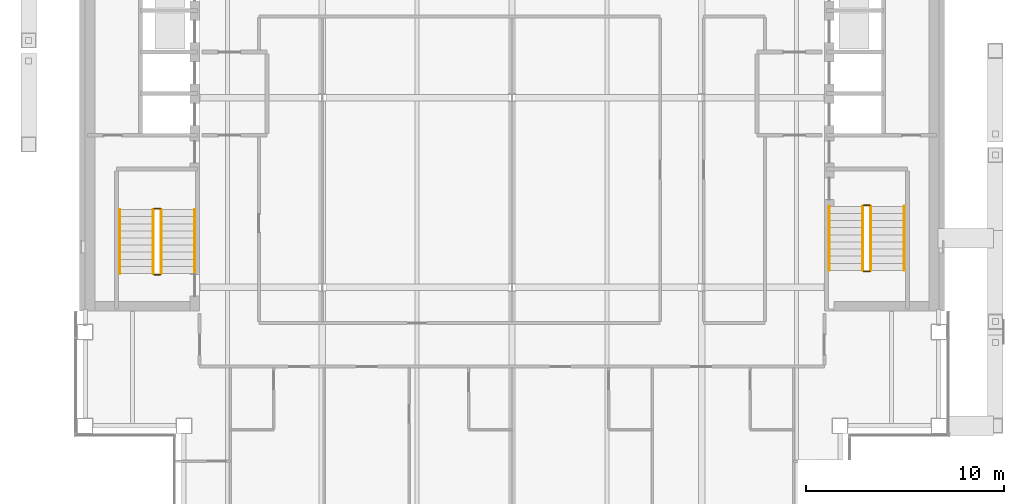
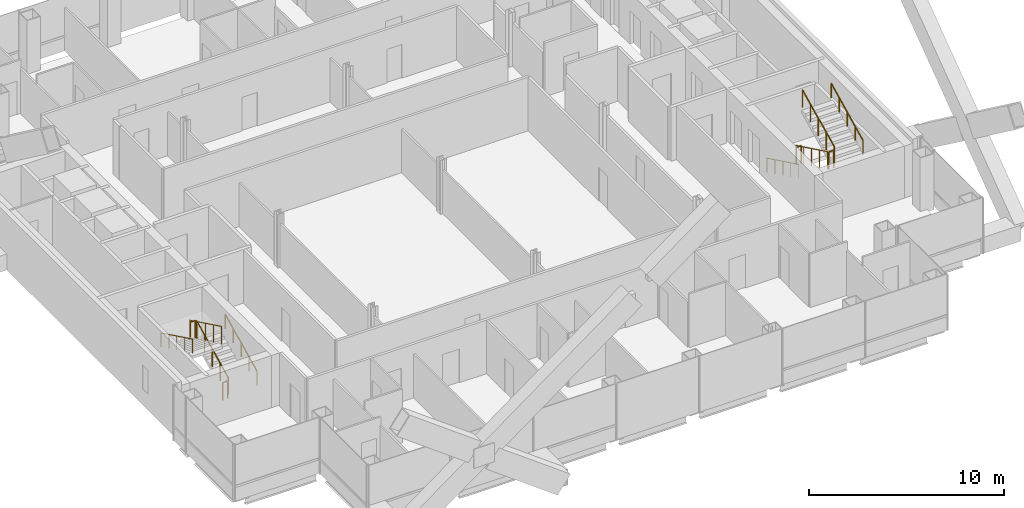
# One storey, part 15 of 16: 12 railings.
"""IFC4 building model written with IfcOpenShell, lengths in metres."""

from ifc_helpers import new_model, si_unit, direction, frame, origin, origin_2d, place, context, subcontext, project, spatial, circle, extrude, material, type_object, element, save


model = new_model("IFC4")

# Units and contexts
model_context = context("Model", 3, precision=1e-05, world=origin(), true_north=direction((0.0, 1.0)))
body_context = subcontext(model_context, "Body", "Model", "MODEL_VIEW")
ifc_project = project(units=[si_unit("LENGTHUNIT", "METRE"), si_unit("AREAUNIT", "SQUARE_METRE"), si_unit("VOLUMEUNIT", "CUBIC_METRE"), si_unit("PLANEANGLEUNIT", "RADIAN"), si_unit("MASSUNIT", "GRAM", prefix="KILO")], contexts=[model_context])

# Site, building, storey
site_placement = place(None, origin())
site = spatial("IfcSite", under=ifc_project, at=site_placement, CompositionType="ELEMENT")
building_placement = place(site_placement, origin())
building = spatial("IfcBuilding", under=site, at=building_placement, Name="Cobrizo Arcos Hotel Tower", CompositionType="ELEMENT")
storey_placement = place(building_placement, frame((0.0, 0.0, 172.5)))
storey = spatial("IfcBuildingStorey", under=building, at=storey_placement, Name="L44", CompositionType="ELEMENT", Elevation=172.5)

# Railings
ifc_material = material(Name="Stainless steel railing", Category="steel")
railing_type_1 = type_object("IfcRailingType", Name="Stair guard 1100", PredefinedType="GUARDRAIL", material=ifc_material)
railing_1_placement = place(storey_placement, frame((-17.75, -8.89990234375, 0.175048828125)))
element("IfcRailing", 1, at=railing_1_placement, inside=storey, type_object=railing_type_1, Name="L44 ST-W stair guard 1", PredefinedType="GUARDRAIL", context=body_context, shape_type="SweptSolid", body=[
    extrude(circle(Radius=0.02392578125, at=origin_2d()), frame((0.0, 0.0, 1.076171875), z_axis=(0.0, 0.899372665325, 0.437182809435), x_axis=(-1.0, 0.0, 0.0)), (0.0, 0.0, 1.0), 3.6025390625),
    extrude(circle(Radius=0.02099609375, at=origin_2d()), origin(), (0.0, 0.0, 1.0), 1.052001953125),
    extrude(circle(Radius=0.02099609375, at=origin_2d()), frame((0.0, 0.81005859375, 0.393798828125)), (0.0, 0.0, 1.0), 1.052001953125),
    extrude(circle(Radius=0.02099609375, at=origin_2d()), frame((0.0, 1.6201171875, 0.78759765625)), (0.0, 0.0, 1.0), 1.052001953125),
    extrude(circle(Radius=0.02099609375, at=origin_2d()), frame((0.0, 2.429931640625, 1.18115234375)), (0.0, 0.0, 1.0), 1.052001953125),
    extrude(circle(Radius=0.02099609375, at=origin_2d()), frame((0.0, 3.239990234375, 1.574951171875)), (0.0, 0.0, 1.0), 1.052001953125),
])
railing_2_placement = place(storey_placement, frame((-17.800048828125, -5.610107421875, 1.75)))
element("IfcRailing", 2, at=railing_2_placement, inside=storey, type_object=railing_type_1, Name="L44 ST-W stair guard 2", PredefinedType="GUARDRAIL", context=body_context, shape_type="SweptSolid", body=[
    extrude(circle(Radius=0.02392578125, at=origin_2d()), frame((0.0, 0.0, 1.076171875), z_axis=(-1.0, 0.0, 0.0), x_axis=(0.0, -1.0, 0.0)), (0.0, 0.0, 1.0), 0.300048828125),
    extrude(circle(Radius=0.02099609375, at=origin_2d()), origin(), (0.0, 0.0, 1.0), 1.052001953125),
    extrude(circle(Radius=0.02099609375, at=origin_2d()), frame((-0.300048828125, 0.0, 0.0)), (0.0, 0.0, 1.0), 1.052001953125),
])
railing_3_placement = place(storey_placement, frame((-18.14990234375, -5.659912109375, 1.925048828125)))
element("IfcRailing", 3, at=railing_3_placement, inside=storey, type_object=railing_type_1, Name="L44 ST-W stair guard 3", PredefinedType="GUARDRAIL", context=body_context, shape_type="SweptSolid", body=[
    extrude(circle(Radius=0.02392578125, at=origin_2d()), frame((0.0, 0.0, 1.076171875), z_axis=(0.0, -0.899372665325, 0.437182809435), x_axis=(1.0, 0.0, 0.0)), (0.0, 0.0, 1.0), 3.6025390625),
    extrude(circle(Radius=0.02099609375, at=origin_2d()), origin(), (0.0, 0.0, 1.0), 1.052001953125),
    extrude(circle(Radius=0.02099609375, at=origin_2d()), frame((0.0, -0.81005859375, 0.393798828125)), (0.0, 0.0, 1.0), 1.052001953125),
    extrude(circle(Radius=0.02099609375, at=origin_2d()), frame((0.0, -1.6201171875, 0.78759765625)), (0.0, 0.0, 1.0), 1.052001953125),
    extrude(circle(Radius=0.02099609375, at=origin_2d()), frame((0.0, -2.429931640625, 1.18115234375)), (0.0, 0.0, 1.0), 1.052001953125),
    extrude(circle(Radius=0.02099609375, at=origin_2d()), frame((0.0, -3.239990234375, 1.574951171875)), (0.0, 0.0, 1.0), 1.052001953125),
])
railing_4_placement = place(storey_placement, frame((-17.800048828125, -8.949951171875, 0.0)))
element("IfcRailing", 4, at=railing_4_placement, inside=storey, type_object=railing_type_1, Name="L44 ST-W stair guard 4", PredefinedType="GUARDRAIL", context=body_context, shape_type="SweptSolid", body=[
    extrude(circle(Radius=0.02392578125, at=origin_2d()), frame((0.0, 0.0, 1.076171875), z_axis=(-1.0, 0.0, 0.0), x_axis=(0.0, -1.0, 0.0)), (0.0, 0.0, 1.0), 0.300048828125),
    extrude(circle(Radius=0.02099609375, at=origin_2d()), origin(), (0.0, 0.0, 1.0), 1.052001953125),
    extrude(circle(Radius=0.02099609375, at=origin_2d()), frame((-0.300048828125, 0.0, 0.0)), (0.0, 0.0, 1.0), 1.052001953125),
])
railing_5_placement = place(storey_placement, frame((17.75, -5.5, 0.175048828125)))
element("IfcRailing", 5, at=railing_5_placement, inside=storey, type_object=railing_type_1, Name="L44 ST-E stair guard 1", PredefinedType="GUARDRAIL", context=body_context, shape_type="SweptSolid", body=[
    extrude(circle(Radius=0.02392578125, at=origin_2d()), frame((0.0, 0.0, 1.076171875), z_axis=(0.0, -0.899372665325, 0.437182809435), x_axis=(1.0, 0.0, 0.0)), (0.0, 0.0, 1.0), 3.6025390625),
    extrude(circle(Radius=0.02099609375, at=origin_2d()), origin(), (0.0, 0.0, 1.0), 1.052001953125),
    extrude(circle(Radius=0.02099609375, at=origin_2d()), frame((0.0, -0.81005859375, 0.393798828125)), (0.0, 0.0, 1.0), 1.052001953125),
    extrude(circle(Radius=0.02099609375, at=origin_2d()), frame((0.0, -1.6201171875, 0.78759765625)), (0.0, 0.0, 1.0), 1.052001953125),
    extrude(circle(Radius=0.02099609375, at=origin_2d()), frame((0.0, -2.429931640625, 1.18115234375)), (0.0, 0.0, 1.0), 1.052001953125),
    extrude(circle(Radius=0.02099609375, at=origin_2d()), frame((0.0, -3.239990234375, 1.574951171875)), (0.0, 0.0, 1.0), 1.052001953125),
])
railing_6_placement = place(storey_placement, frame((17.800048828125, -8.7900390625, 1.75)))
element("IfcRailing", 6, at=railing_6_placement, inside=storey, type_object=railing_type_1, Name="L44 ST-E stair guard 2", PredefinedType="GUARDRAIL", context=body_context, shape_type="SweptSolid", body=[
    extrude(circle(Radius=0.02392578125, at=origin_2d()), frame((0.0, 0.0, 1.076171875), z_axis=(1.0, 0.0, 0.0), x_axis=(0.0, 1.0, 0.0)), (0.0, 0.0, 1.0), 0.300048828125),
    extrude(circle(Radius=0.02099609375, at=origin_2d()), origin(), (0.0, 0.0, 1.0), 1.052001953125),
    extrude(circle(Radius=0.02099609375, at=origin_2d()), frame((0.300048828125, 0.0, 0.0)), (0.0, 0.0, 1.0), 1.052001953125),
])
railing_7_placement = place(storey_placement, frame((18.14990234375, -8.739990234375, 1.925048828125)))
element("IfcRailing", 7, at=railing_7_placement, inside=storey, type_object=railing_type_1, Name="L44 ST-E stair guard 3", PredefinedType="GUARDRAIL", context=body_context, shape_type="SweptSolid", body=[
    extrude(circle(Radius=0.02392578125, at=origin_2d()), frame((0.0, 0.0, 1.076171875), z_axis=(0.0, 0.899372665325, 0.437182809435), x_axis=(-1.0, 0.0, 0.0)), (0.0, 0.0, 1.0), 3.6025390625),
    extrude(circle(Radius=0.02099609375, at=origin_2d()), origin(), (0.0, 0.0, 1.0), 1.052001953125),
    extrude(circle(Radius=0.02099609375, at=origin_2d()), frame((0.0, 0.81005859375, 0.393798828125)), (0.0, 0.0, 1.0), 1.052001953125),
    extrude(circle(Radius=0.02099609375, at=origin_2d()), frame((0.0, 1.6201171875, 0.78759765625)), (0.0, 0.0, 1.0), 1.052001953125),
    extrude(circle(Radius=0.02099609375, at=origin_2d()), frame((0.0, 2.429931640625, 1.18115234375)), (0.0, 0.0, 1.0), 1.052001953125),
    extrude(circle(Radius=0.02099609375, at=origin_2d()), frame((0.0, 3.239990234375, 1.574951171875)), (0.0, 0.0, 1.0), 1.052001953125),
])
railing_8_placement = place(storey_placement, frame((17.800048828125, -5.449951171875, 0.0)))
element("IfcRailing", 8, at=railing_8_placement, inside=storey, type_object=railing_type_1, Name="L44 ST-E stair guard 4", PredefinedType="GUARDRAIL", context=body_context, shape_type="SweptSolid", body=[
    extrude(circle(Radius=0.02392578125, at=origin_2d()), frame((0.0, 0.0, 1.076171875), z_axis=(1.0, 0.0, 0.0), x_axis=(0.0, 1.0, 0.0)), (0.0, 0.0, 1.0), 0.300048828125),
    extrude(circle(Radius=0.02099609375, at=origin_2d()), origin(), (0.0, 0.0, 1.0), 1.052001953125),
    extrude(circle(Radius=0.02099609375, at=origin_2d()), frame((0.300048828125, 0.0, 0.0)), (0.0, 0.0, 1.0), 1.052001953125),
])
railing_type_2 = type_object("IfcRailingType", Name="Stair handrail", PredefinedType="HANDRAIL", material=ifc_material)
railing_9_placement = place(storey_placement, frame((-16.050048828125, -8.89990234375, 0.175048828125)))
element("IfcRailing", 9, at=railing_9_placement, inside=storey, type_object=railing_type_2, Name="L44 ST-W stair handrail 1", PredefinedType="HANDRAIL", context=body_context, shape_type="SweptSolid", body=[
    extrude(circle(Radius=0.02392578125, at=origin_2d()), frame((0.0, 0.0, 0.8759765625), z_axis=(0.0, 0.899372665325, 0.437182809435), x_axis=(-1.0, 0.0, 0.0)), (0.0, 0.0, 1.0), 3.6025390625),
    extrude(circle(Radius=0.02099609375, at=origin_2d()), origin(), (0.0, 0.0, 1.0), 0.851806640625),
    extrude(circle(Radius=0.02099609375, at=origin_2d()), frame((0.0, 0.81005859375, 0.393798828125)), (0.0, 0.0, 1.0), 0.851806640625),
    extrude(circle(Radius=0.02099609375, at=origin_2d()), frame((0.0, 1.6201171875, 0.78759765625)), (0.0, 0.0, 1.0), 0.851806640625),
    extrude(circle(Radius=0.02099609375, at=origin_2d()), frame((0.0, 2.429931640625, 1.18115234375)), (0.0, 0.0, 1.0), 0.851806640625),
    extrude(circle(Radius=0.02099609375, at=origin_2d()), frame((0.0, 3.239990234375, 1.574951171875)), (0.0, 0.0, 1.0), 0.851806640625),
])
for number, where, name in (
    (10, (-19.85009765625, -5.659912109375, 1.925048828125), "L44 ST-W stair handrail 2"),
    (11, (16.050048828125, -5.5, 0.175048828125), "L44 ST-E stair handrail 1"),
):
    element("IfcRailing", number, at=place(storey_placement, frame(where)), inside=storey, type_object=railing_type_2, Name=name, PredefinedType="HANDRAIL", context=body_context, shape_type="SweptSolid", body=[
        extrude(circle(Radius=0.02392578125, at=origin_2d()), frame((0.0, 0.0, 0.8759765625), z_axis=(0.0, -0.899372665325, 0.437182809435), x_axis=(1.0, 0.0, 0.0)), (0.0, 0.0, 1.0), 3.6025390625),
        extrude(circle(Radius=0.02099609375, at=origin_2d()), origin(), (0.0, 0.0, 1.0), 0.851806640625),
        extrude(circle(Radius=0.02099609375, at=origin_2d()), frame((0.0, -0.81005859375, 0.393798828125)), (0.0, 0.0, 1.0), 0.851806640625),
        extrude(circle(Radius=0.02099609375, at=origin_2d()), frame((0.0, -1.6201171875, 0.78759765625)), (0.0, 0.0, 1.0), 0.851806640625),
        extrude(circle(Radius=0.02099609375, at=origin_2d()), frame((0.0, -2.429931640625, 1.18115234375)), (0.0, 0.0, 1.0), 0.851806640625),
        extrude(circle(Radius=0.02099609375, at=origin_2d()), frame((0.0, -3.239990234375, 1.574951171875)), (0.0, 0.0, 1.0), 0.851806640625),
    ])
railing_10_placement = place(storey_placement, frame((19.85009765625, -8.739990234375, 1.925048828125)))
element("IfcRailing", 12, at=railing_10_placement, inside=storey, type_object=railing_type_2, Name="L44 ST-E stair handrail 2", PredefinedType="HANDRAIL", context=body_context, shape_type="SweptSolid", body=[
    extrude(circle(Radius=0.02392578125, at=origin_2d()), frame((0.0, 0.0, 0.8759765625), z_axis=(0.0, 0.899372665325, 0.437182809435), x_axis=(-1.0, 0.0, 0.0)), (0.0, 0.0, 1.0), 3.6025390625),
    extrude(circle(Radius=0.02099609375, at=origin_2d()), origin(), (0.0, 0.0, 1.0), 0.851806640625),
    extrude(circle(Radius=0.02099609375, at=origin_2d()), frame((0.0, 0.81005859375, 0.393798828125)), (0.0, 0.0, 1.0), 0.851806640625),
    extrude(circle(Radius=0.02099609375, at=origin_2d()), frame((0.0, 1.6201171875, 0.78759765625)), (0.0, 0.0, 1.0), 0.851806640625),
    extrude(circle(Radius=0.02099609375, at=origin_2d()), frame((0.0, 2.429931640625, 1.18115234375)), (0.0, 0.0, 1.0), 0.851806640625),
    extrude(circle(Radius=0.02099609375, at=origin_2d()), frame((0.0, 3.239990234375, 1.574951171875)), (0.0, 0.0, 1.0), 0.851806640625),
])

save(model, "model.ifc")
